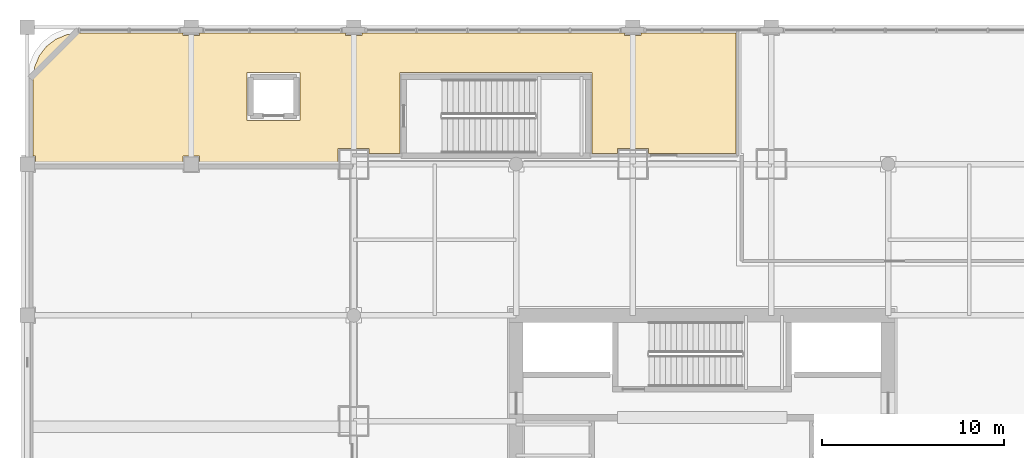
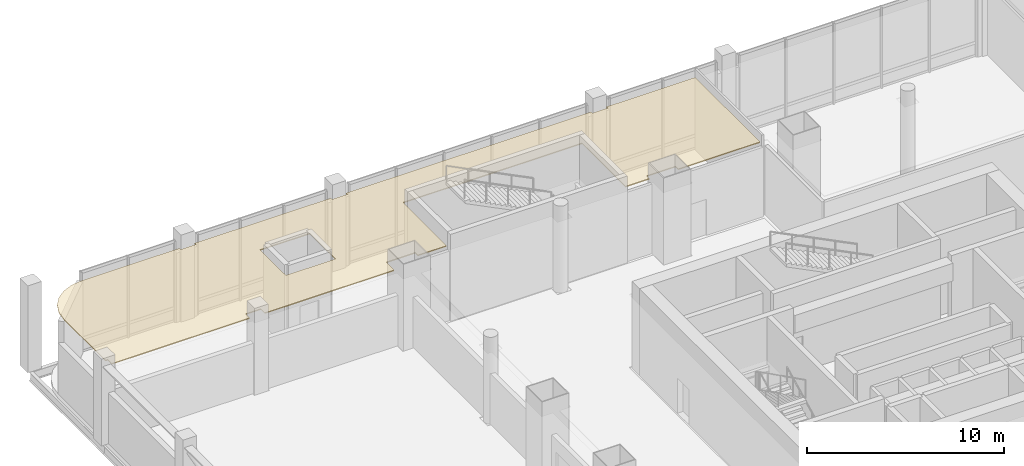
# One storey, part 32 of 35: 1 covering.
"""IFC4 building model written with IfcOpenShell, lengths in metres."""

from ifc_helpers import new_model, si_unit, direction, frame, origin, place, context, subcontext, project, spatial, polyline, outline, extrude, material, layer, layer_set, type_object, element, save


model = new_model("IFC4")

# Units and contexts
model_context = context("Model", 3, precision=1e-05, world=origin(), true_north=direction((0.0, 1.0)))
body_context = subcontext(model_context, "Body", "Model", "MODEL_VIEW")
ifc_project = project(units=[si_unit("LENGTHUNIT", "METRE"), si_unit("AREAUNIT", "SQUARE_METRE"), si_unit("VOLUMEUNIT", "CUBIC_METRE"), si_unit("PLANEANGLEUNIT", "RADIAN"), si_unit("MASSUNIT", "GRAM", prefix="KILO")], contexts=[model_context])

# Site, building, storey
site_placement = place(None, origin())
site = spatial("IfcSite", under=ifc_project, at=site_placement, CompositionType="ELEMENT")
building_placement = place(site_placement, origin())
building = spatial("IfcBuilding", under=site, at=building_placement, Name="Punatoya Terracotta Tower", CompositionType="ELEMENT")
storey_placement = place(building_placement, frame((0.0, 0.0, 16.800048828125)))
storey = spatial("IfcBuildingStorey", under=building, at=storey_placement, Name="L03", CompositionType="ELEMENT", Elevation=16.800048828125)

# Covering
ifc_material = material(Name="Acoustic Mineral Fibre Ceiling")
ifc_layer = layer(ifc_material, 0.06005859375)
ifc_layer_set = layer_set([ifc_layer], Name="Acoustic Mineral Fibre Ceiling")
covering_type = type_object("IfcCoveringType", Name="COV-CEIL-60", PredefinedType="CEILING", material=ifc_layer_set)
covering_placement = place(storey_placement, frame((0.0, 0.0, 4.5)))
element("IfcCovering", 1, at=covering_placement, inside=storey, type_object=covering_type, Name="L03 Speakers' Green Room Lounge Acoustic Ceiling", PredefinedType="CEILING", context=body_context, shape_type="SweptSolid", body=[
    extrude(outline(polyline([(-36.679931640625, 22.178955078125), (-36.679931640625, 17.949951171875), (-36.550048828125, 17.949951171875), (-36.550048828125, 17.5400390625), (-28.449951171875, 17.5400390625), (-28.449951171875, 17.949951171875), (-27.550048828125, 17.949951171875), (-27.550048828125, 17.5400390625), (-19.949951171875, 17.5400390625), (-19.949951171875, 18.35009765625), (-18.25, 18.35009765625), (-18.25, 18.080078125), (-16.56005859375, 18.080078125), (-16.56005859375, 22.510009765625), (-6.0400390625, 22.510009765625), (-6.0400390625, 18.080078125), (-4.64990234375, 18.080078125), (-4.64990234375, 18.35009765625), (-2.949951171875, 18.35009765625), (-2.949951171875, 18.080078125), (1.860107421875, 18.080078125), (1.860107421875, 24.679931640625), (-3.35009765625, 24.679931640625), (-3.35009765625, 24.550048828125), (-4.25, 24.550048828125), (-4.25, 24.679931640625), (-18.64990234375, 24.679931640625), (-18.64990234375, 24.550048828125), (-19.550048828125, 24.550048828125), (-19.550048828125, 24.679931640625), (-27.550048828125, 24.679931640625), (-27.550048828125, 24.550048828125), (-28.449951171875, 24.550048828125), (-28.449951171875, 24.679931640625), (-34.178955078125, 24.679931640625), (-34.84130859375, 24.5927734375), (-35.438720703125, 24.345458984375), (-35.95166015625, 23.95166015625), (-36.345458984375, 23.438720703125), (-36.5927734375, 22.84130859375), (-36.679931640625, 22.178955078125)]), holes=[polyline([(-22.0400390625, 22.510009765625), (-22.0400390625, 19.889892578125), (-24.9599609375, 19.889892578125), (-24.9599609375, 22.510009765625), (-22.0400390625, 22.510009765625)])]), origin(), (0.0, 0.0, 1.0), 0.06005859375),
])

save(model, "model.ifc")
